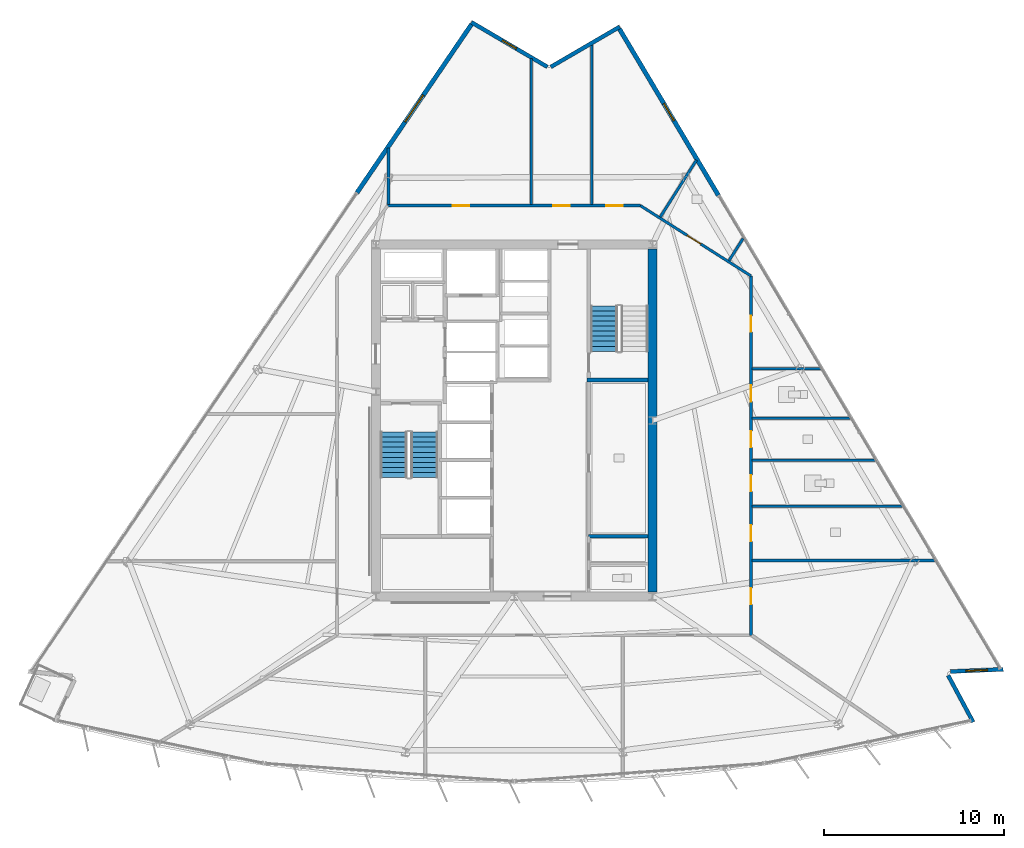
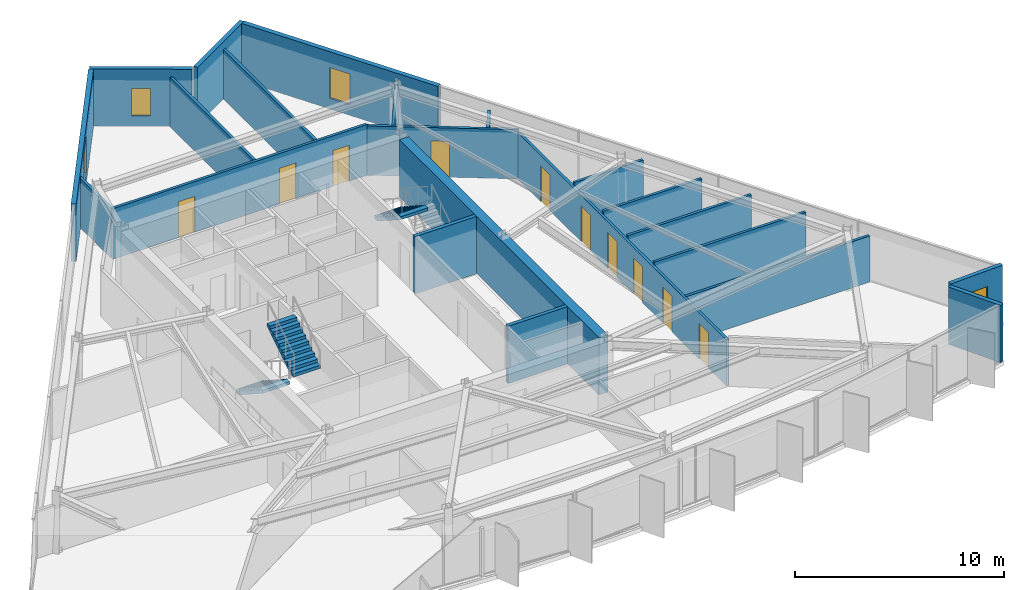
# One storey, part 9 of 15: 22 walls, 10 doors, 4 windows, 3 stair flights, 14 openings, 2 elements without a shape of their own.
"""IFC4 building model written with IfcOpenShell, lengths in metres."""

from ifc_helpers import new_model, si_unit, direction, frame, frame_2d, origin, place, context, subcontext, project, spatial, polyline, rectangle, outline, extrude, material, layer, layer_set, type_object, element, fill, aggregate, save


model = new_model("IFC4")

# Units and contexts
model_context = context("Model", 3, precision=1e-05, world=origin(), true_north=direction((0.0, 1.0)))
body_context = subcontext(model_context, "Body", "Model", "MODEL_VIEW")
ifc_project = project(units=[si_unit("LENGTHUNIT", "METRE"), si_unit("AREAUNIT", "SQUARE_METRE"), si_unit("VOLUMEUNIT", "CUBIC_METRE"), si_unit("PLANEANGLEUNIT", "RADIAN"), si_unit("MASSUNIT", "GRAM", prefix="KILO")], contexts=[model_context])

# Site, building, storey
site_placement = place(None, origin())
site = spatial("IfcSite", under=ifc_project, at=site_placement, CompositionType="ELEMENT")
building_placement = place(site_placement, origin())
building = spatial("IfcBuilding", under=site, at=building_placement, Name="Savorim Split Tower", CompositionType="ELEMENT")
storey_placement = place(building_placement, frame((0.0, 0.0, 142.199951171875)))
storey = spatial("IfcBuildingStorey", under=building, at=storey_placement, Name="L37", CompositionType="ELEMENT", Elevation=142.199951171875)

# Walls
ifc_material_1 = material(Name="Concrete C60/75", Category="concrete")
ifc_layer_1 = layer(ifc_material_1, 0.5)
ifc_layer_set_1 = layer_set([ifc_layer_1], Name="WAL-COR-SH500")
wall_type_1 = type_object("IfcWallType", Name="WAL-COR-SH500", PredefinedType="SHEAR", material=ifc_layer_set_1)
wall_1_placement = place(storey_placement, frame((7.699951171875, 9.949951171875, 0.0), z_axis=(0.0, 0.0, 1.0), x_axis=(0.0, -1.0, 0.0)))
element("IfcWall", 1, at=wall_1_placement, inside=storey, type_object=wall_type_1, Name="L37 Offset Core East Shear Wall", PredefinedType="SHEAR", context=body_context, shape_type="SweptSolid", body=[
    extrude(rectangle(XDim=19.099853515625, YDim=0.5, at=frame_2d((9.5498046875, 0.0))), origin(), (0.0, 0.0, 1.0), 3.35009765625),
])
ifc_material_2 = material(Name="Precast concrete C40/50", Category="concrete")
ifc_layer_2 = layer(ifc_material_2, 0.219970703125)
ifc_layer_set_2 = layer_set([ifc_layer_2], Name="WAL-EXT-CRN220")
wall_type_2 = type_object("IfcWallType", Name="WAL-EXT-CRN220", PredefinedType="SOLIDWALL", material=ifc_layer_set_2)
wall_2_placement = place(storey_placement, frame((24.15478515625, -13.789794921875, 0.0), z_axis=(0.0, 0.0, 1.0), x_axis=(0.472795751791, -0.881172047383, 0.0)))
element("IfcWall", 2, at=wall_2_placement, inside=storey, type_object=wall_type_2, Name="L37 Notched Corner Facade Wall SE1", PredefinedType="SOLIDWALL", context=body_context, shape_type="SweptSolid", body=[
    extrude(rectangle(XDim=2.948486328125, YDim=0.219970703125, at=frame_2d((1.47412109375, 0.0))), origin(), (0.0, 0.0, 1.0), 3.35009765625),
])

# Wall, opening, window
wall_3_placement = place(storey_placement, frame((27.219482421875, -13.450927734375, 0.0), z_axis=(0.0, 0.0, 1.0), x_axis=(-0.999095615947, -0.042519997593, 0.0)))
wall_3 = element("IfcWall", 3, at=wall_3_placement, inside=storey, type_object=wall_type_2, Name="L37 Notched Corner Facade Wall SE", PredefinedType="SOLIDWALL", context=body_context, shape_type="SweptSolid", body=[
    extrude(rectangle(XDim=2.945556640625, YDim=0.219970703125, at=frame_2d((1.47265625, 0.0))), origin(), (0.0, 0.0, 1.0), 3.35009765625),
])
opening_1_placement = place(wall_3_placement, frame((0.872802734375, 0.0, 0.6201171875)))
opening_1 = element("IfcOpeningElement", 4, at=opening_1_placement, cuts=wall_3, Name="Opening WN-08", PredefinedType="OPENING", context=body_context, shape_type="SweptSolid", body=[
    extrude(rectangle(XDim=1.199951171875, YDim=1.800048828125, at=frame_2d((0.60009765625, 0.89990234375))), frame((0.0, 0.119873046875, 0.0), z_axis=(0.0, -1.0, 0.0), x_axis=(1.0, 0.0, 0.0)), (0.0, 0.0, 1.0), 0.239990234375),
])
ifc_material_3 = material(Name="Low-E Operable Double Glazing", Category="glass")
window_type_1 = type_object("IfcWindowType", Name="WIN-TWR-1200x1800", PartitioningType="SINGLE_PANEL", PredefinedType="WINDOW", material=ifc_material_3)
window_1_placement = place(opening_1_placement, origin())
window_1 = element("IfcWindow", 5, at=window_1_placement, inside=storey, type_object=window_type_1, Name="L37 Operable Corner Window SE", OverallHeight=1.800048828125, OverallWidth=1.199951171875, PartitioningType="SINGLE_PANEL", PredefinedType="WINDOW", context=body_context, shape_type="SweptSolid", body=[
    extrude(rectangle(XDim=1.199951171875, YDim=1.800048828125, at=frame_2d((0.60009765625, 0.89990234375))), frame((0.0, 0.030029296875, 0.0), z_axis=(0.0, -1.0, 0.0), x_axis=(1.0, 0.0, 0.0)), (0.0, 0.0, 1.0), 0.06005859375),
])
fill(opening_1, window_1)

# Wall
wall_4_placement = place(storey_placement, frame((2.03857421875, 20.079345703125, 0.0), z_axis=(0.0, 0.0, 1.0), x_axis=(0.86398603623, 0.503515768571, 0.0)))
element("IfcWall", 6, at=wall_4_placement, inside=storey, type_object=wall_type_2, Name="L37 Notched Corner Facade Wall NE1", PredefinedType="SOLIDWALL", context=body_context, shape_type="SweptSolid", body=[
    extrude(rectangle(XDim=4.4443359375, YDim=0.219970703125, at=frame_2d((2.22216796875, 0.0))), origin(), (0.0, 0.0, 1.0), 3.35009765625),
])

# Wall, opening, window
wall_5_placement = place(storey_placement, frame((-2.384521484375, 22.5673828125, 0.0), z_axis=(0.0, 0.0, 1.0), x_axis=(0.8621258938, -0.506694131839, 0.0)))
wall_5 = element("IfcWall", 7, at=wall_5_placement, inside=storey, type_object=wall_type_2, Name="L37 Notched Corner Facade Wall N", PredefinedType="SOLIDWALL", context=body_context, shape_type="SweptSolid", body=[
    extrude(rectangle(XDim=4.909912109375, YDim=0.219970703125, at=frame_2d((2.455078125, 0.0))), origin(), (0.0, 0.0, 1.0), 3.35009765625),
])
opening_2_placement = place(wall_5_placement, frame((2.0048828125, 0.0, 0.6201171875)))
opening_2 = element("IfcOpeningElement", 8, at=opening_2_placement, cuts=wall_5, Name="Opening WN-10", PredefinedType="OPENING", context=body_context, shape_type="SweptSolid", body=[
    extrude(rectangle(XDim=0.89990234375, YDim=1.60009765625, at=frame_2d((0.449951171875, 0.800048828125))), frame((0.0, 0.119873046875, 0.0), z_axis=(0.0, -1.0, 0.0), x_axis=(1.0, 0.0, 0.0)), (0.0, 0.0, 1.0), 0.239990234375),
])
window_type_2 = type_object("IfcWindowType", Name="WIN-TWR-900x1600", PartitioningType="SINGLE_PANEL", PredefinedType="WINDOW", material=ifc_material_3)
window_2_placement = place(opening_2_placement, origin())
window_2 = element("IfcWindow", 9, at=window_2_placement, inside=storey, type_object=window_type_2, Name="L37 Operable Corner Window N", OverallHeight=1.60009765625, OverallWidth=0.89990234375, PartitioningType="SINGLE_PANEL", PredefinedType="WINDOW", context=body_context, shape_type="SweptSolid", body=[
    extrude(rectangle(XDim=0.89990234375, YDim=1.60009765625, at=frame_2d((0.449951171875, 0.800048828125))), frame((0.0, 0.030029296875, 0.0), z_axis=(0.0, -1.0, 0.0), x_axis=(1.0, 0.0, 0.0)), (0.0, 0.0, 1.0), 0.06005859375),
])
fill(opening_2, window_2)

ifc_layer_3 = layer(ifc_material_2, 0.25)
ifc_layer_set_3 = layer_set([ifc_layer_3], Name="WAL-EXT-SPN250")
wall_type_3 = type_object("IfcWallType", Name="WAL-EXT-SPN250", PredefinedType="SOLIDWALL", material=ifc_layer_set_3)
wall_6_placement = place(storey_placement, frame((5.86181640625, 22.1904296875, 0.0), z_axis=(0.0, 0.0, 1.0), x_axis=(0.511083986456, -0.859530778267, 0.0)))
wall_6 = element("IfcWall", 10, at=wall_6_placement, inside=storey, type_object=wall_type_3, Name="L37 East Operable Window Pier", PredefinedType="SOLIDWALL", context=body_context, shape_type="SweptSolid", body=[
    extrude(rectangle(XDim=10.778076171875, YDim=0.25, at=frame_2d((5.38916015625, 0.0))), origin(), (0.0, 0.0, 1.0), 3.35009765625),
])
opening_3_placement = place(wall_6_placement, frame((4.839111328125, 0.0, 0.6201171875)))
opening_3 = element("IfcOpeningElement", 11, at=opening_3_placement, cuts=wall_6, Name="Opening WN-09", PredefinedType="OPENING", context=body_context, shape_type="SweptSolid", body=[
    extrude(rectangle(XDim=1.10009765625, YDim=1.800048828125, at=frame_2d((0.550048828125, 0.89990234375))), frame((0.0, 0.135009765625, 0.0), z_axis=(0.0, -1.0, 0.0), x_axis=(1.0, 0.0, 0.0)), (0.0, 0.0, 1.0), 0.27001953125),
])
window_type_3 = type_object("IfcWindowType", Name="WIN-TWR-1100x1800", PartitioningType="SINGLE_PANEL", PredefinedType="WINDOW", material=ifc_material_3)
window_3_placement = place(opening_3_placement, origin())
window_3 = element("IfcWindow", 12, at=window_3_placement, inside=storey, type_object=window_type_3, Name="L37 East Operable Ventilation Window", OverallHeight=1.800048828125, OverallWidth=1.10009765625, PartitioningType="SINGLE_PANEL", PredefinedType="WINDOW", context=body_context, shape_type="SweptSolid", body=[
    extrude(rectangle(XDim=1.10009765625, YDim=1.800048828125, at=frame_2d((0.550048828125, 0.89990234375))), frame((0.0, 0.030029296875, 0.0), z_axis=(0.0, -1.0, 0.0), x_axis=(1.0, 0.0, 0.0)), (0.0, 0.0, 1.0), 0.06005859375),
])
fill(opening_3, window_3)

wall_7_placement = place(storey_placement, frame((-8.75048828125, 13.080810546875, 0.0), z_axis=(0.0, 0.0, 1.0), x_axis=(0.562463958751, 0.82682180372, 0.0)))
wall_7 = element("IfcWall", 13, at=wall_7_placement, inside=storey, type_object=wall_type_3, Name="L37 West Operable Window Pier", PredefinedType="SOLIDWALL", context=body_context, shape_type="SweptSolid", body=[
    extrude(rectangle(XDim=11.321533203125, YDim=0.25, at=frame_2d((5.66064453125, 0.0))), origin(), (0.0, 0.0, 1.0), 3.35009765625),
])
opening_4_placement = place(wall_7_placement, frame((4.7607421875, 0.0, 0.6201171875)))
opening_4 = element("IfcOpeningElement", 14, at=opening_4_placement, cuts=wall_7, Name="Opening WN-04", PredefinedType="OPENING", context=body_context, shape_type="SweptSolid", body=[
    extrude(rectangle(XDim=1.800048828125, YDim=2.10009765625, at=frame_2d((0.89990234375, 1.050048828125))), frame((0.0, 0.135009765625, 0.0), z_axis=(0.0, -1.0, 0.0), x_axis=(1.0, 0.0, 0.0)), (0.0, 0.0, 1.0), 0.27001953125),
])
window_type_4 = type_object("IfcWindowType", Name="WIN-TWR-1800x2100", PartitioningType="DOUBLE_PANEL_VERTICAL", PredefinedType="WINDOW", material=ifc_material_3)
window_4_placement = place(opening_4_placement, origin())
window_4 = element("IfcWindow", 15, at=window_4_placement, inside=storey, type_object=window_type_4, Name="L37 West Operable Ventilation Window", OverallHeight=2.10009765625, OverallWidth=1.800048828125, PartitioningType="SINGLE_PANEL", PredefinedType="WINDOW", context=body_context, shape_type="SweptSolid", body=[
    extrude(rectangle(XDim=1.800048828125, YDim=2.10009765625, at=frame_2d((0.89990234375, 1.050048828125))), frame((0.0, 0.030029296875, 0.0), z_axis=(0.0, -1.0, 0.0), x_axis=(1.0, 0.0, 0.0)), (0.0, 0.0, 1.0), 0.06005859375),
])
fill(opening_4, window_4)

# Walls
ifc_material_4 = material(Name="Concrete C50/60", Category="concrete")
ifc_layer_4 = layer(ifc_material_4, 0.199951171875)
ifc_layer_set_4 = layer_set([ifc_layer_4], Name="WAL-INT-RC200")
wall_type_4 = type_object("IfcWallType", Name="WAL-INT-RC200", PredefinedType="SOLIDWALL", material=ifc_layer_set_4)
wall_8_placement = place(storey_placement, frame((4.050048828125, 2.64990234375, 0.0), z_axis=(0.0, 0.0, 1.0), x_axis=(1.0, 0.0, 0.0)))
element("IfcWall", 16, at=wall_8_placement, inside=storey, type_object=wall_type_4, Name="L37 Structural Shaft Wall W-L37-CR08", PredefinedType="SOLIDWALL", context=body_context, shape_type="SweptSolid", body=[
    extrude(rectangle(XDim=3.39990234375, YDim=0.199951171875, at=frame_2d((1.699951171875, 0.0))), origin(), (0.0, 0.0, 1.0), 3.35009765625),
])
wall_9_placement = place(storey_placement, frame((4.14990234375, -6.050048828125, 0.0), z_axis=(0.0, 0.0, 1.0), x_axis=(1.0, 0.0, 0.0)))
element("IfcWall", 17, at=wall_9_placement, inside=storey, type_object=wall_type_4, Name="L37 Partition W-L37-KSEP-E", PredefinedType="SOLIDWALL", context=body_context, shape_type="SweptSolid", body=[
    extrude(rectangle(XDim=3.295166015625, YDim=0.199951171875, at=frame_2d((1.6474609375, 0.0))), origin(), (0.0, 0.0, 1.0), 3.35009765625),
])

# Wall, openings, doors
ifc_material_5 = material(Name="Acoustic Gypsum Partition Board")
ifc_layer_5 = layer(ifc_material_5, 0.14990234375)
ifc_layer_set_5 = layer_set([ifc_layer_5], Name="WAL-PAR-150")
wall_type_5 = type_object("IfcWallType", Name="WAL-PAR-150", PredefinedType="PARTITIONING", material=ifc_layer_set_5)
wall_10_placement = place(storey_placement, frame((-7.041015625, 12.360107421875, 0.0), z_axis=(0.0, 0.0, 1.0), x_axis=(1.0, 0.0, 0.0)))
wall_10 = element("IfcWall", 18, at=wall_10_placement, inside=storey, type_object=wall_type_5, Name="L37 Partition W-L37-COR-03", PredefinedType="PARTITIONING", context=body_context, shape_type="SweptSolid", body=[
    extrude(rectangle(XDim=14.064208984375, YDim=0.14990234375, at=frame_2d((7.0322265625, 0.0))), origin(), (0.0, 0.0, 1.0), 2.965087890625),
])
opening_5_placement = place(wall_10_placement, frame((12.17236328125, 0.0, 0.0)))
opening_5 = element("IfcOpeningElement", 19, at=opening_5_placement, cuts=wall_10, Name="Opening DI-06", PredefinedType="OPENING", context=body_context, shape_type="SweptSolid", body=[
    extrude(rectangle(XDim=0.89990234375, YDim=2.10009765625, at=frame_2d((0.449951171875, 1.050048828125))), frame((0.0, 0.0849609375, 0.0), z_axis=(0.0, -1.0, 0.0), x_axis=(1.0, 0.0, 0.0)), (0.0, 0.0, 1.0), 0.169921875),
])
opening_6_placement = place(wall_10_placement, frame((9.22412109375, 0.0, 0.0)))
opening_6 = element("IfcOpeningElement", 20, at=opening_6_placement, cuts=wall_10, Name="Opening DI-06", PredefinedType="OPENING", context=body_context, shape_type="SweptSolid", body=[
    extrude(rectangle(XDim=0.89990234375, YDim=2.10009765625, at=frame_2d((0.449951171875, 1.050048828125))), frame((0.0, 0.0849609375, 0.0), z_axis=(0.0, -1.0, 0.0), x_axis=(1.0, 0.0, 0.0)), (0.0, 0.0, 1.0), 0.169921875),
])
opening_7_placement = place(wall_10_placement, frame((3.6337890625, 0.0, 0.0)))
opening_7 = element("IfcOpeningElement", 21, at=opening_7_placement, cuts=wall_10, Name="Opening DI-06", PredefinedType="OPENING", context=body_context, shape_type="SweptSolid", body=[
    extrude(rectangle(XDim=0.89990234375, YDim=2.10009765625, at=frame_2d((0.449951171875, 1.050048828125))), frame((0.0, 0.0849609375, 0.0), z_axis=(0.0, -1.0, 0.0), x_axis=(1.0, 0.0, 0.0)), (0.0, 0.0, 1.0), 0.169921875),
])
ifc_material_6 = material(Name="Timber Fire Door Leaf", Category="wood")
door_type_1 = type_object("IfcDoorType", Name="DOR-FIR-900", OperationType="NOTDEFINED", PredefinedType="DOOR", material=ifc_material_6)
door_1_placement = place(opening_5_placement, origin())
door_1 = element("IfcDoor", 22, at=door_1_placement, inside=storey, type_object=door_type_1, Name="DR-L37-RM13 - L37 Quiet Study Room Entry Door", OperationType="SINGLE_SWING_RIGHT", OverallHeight=2.10009765625, OverallWidth=0.89990234375, PredefinedType="DOOR", context=body_context, shape_type="SweptSolid", body=[
    extrude(rectangle(XDim=0.89990234375, YDim=2.10009765625, at=frame_2d((0.449951171875, 1.050048828125))), frame((0.0, 0.02490234375, 0.0), z_axis=(0.0, -1.0, 0.0), x_axis=(1.0, 0.0, 0.0)), (0.0, 0.0, 1.0), 0.050048828125),
])
fill(opening_5, door_1)
door_2_placement = place(opening_6_placement, origin())
door_2 = element("IfcDoor", 23, at=door_2_placement, inside=storey, type_object=door_type_1, Name="DR-L37-RM14 - L37 Quiet Study Room Entry Door", OperationType="SINGLE_SWING_LEFT", OverallHeight=2.10009765625, OverallWidth=0.89990234375, PredefinedType="DOOR", context=body_context, shape_type="SweptSolid", body=[
    extrude(rectangle(XDim=0.89990234375, YDim=2.10009765625, at=frame_2d((0.449951171875, 1.050048828125))), frame((0.0, 0.02490234375, 0.0), z_axis=(0.0, -1.0, 0.0), x_axis=(1.0, 0.0, 0.0)), (0.0, 0.0, 1.0), 0.050048828125),
])
fill(opening_6, door_2)
door_3_placement = place(opening_7_placement, origin())
door_3 = element("IfcDoor", 24, at=door_3_placement, inside=storey, type_object=door_type_1, Name="DR-L37-RM15 - L37 Co-Working Commons Entry Door", OperationType="SINGLE_SWING_RIGHT", OverallHeight=2.10009765625, OverallWidth=0.89990234375, PredefinedType="DOOR", context=body_context, shape_type="SweptSolid", body=[
    extrude(rectangle(XDim=0.89990234375, YDim=2.10009765625, at=frame_2d((0.449951171875, 1.050048828125))), frame((0.0, 0.02490234375, 0.0), z_axis=(0.0, -1.0, 0.0), x_axis=(1.0, 0.0, 0.0)), (0.0, 0.0, 1.0), 0.050048828125),
])
fill(opening_7, door_3)

# Wall, opening, door
wall_11_placement = place(storey_placement, frame((7.023193359375, 12.360107421875, 0.0), z_axis=(0.0, 0.0, 1.0), x_axis=(0.84376480085, -0.536713108511, 0.0)))
wall_11 = element("IfcWall", 25, at=wall_11_placement, inside=storey, type_object=wall_type_5, Name="L37 Partition W-L37-COR-04", PredefinedType="PARTITIONING", context=body_context, shape_type="SweptSolid", body=[
    extrude(rectangle(XDim=7.296630859375, YDim=0.14990234375, at=frame_2d((3.6484375, 0.0))), origin(), (0.0, 0.0, 1.0), 2.885009765625),
])
opening_8_placement = place(wall_11_placement, frame((3.091064453125, 0.0, 0.0)))
opening_8 = element("IfcOpeningElement", 26, at=opening_8_placement, cuts=wall_11, Name="Opening DI-06", PredefinedType="OPENING", context=body_context, shape_type="SweptSolid", body=[
    extrude(rectangle(XDim=0.89990234375, YDim=2.10009765625, at=frame_2d((0.449951171875, 1.050048828125))), frame((0.0, 0.0849609375, 0.0), z_axis=(0.0, -1.0, 0.0), x_axis=(1.0, 0.0, 0.0)), (0.0, 0.0, 1.0), 0.169921875),
])
door_4_placement = place(opening_8_placement, origin())
door_4 = element("IfcDoor", 27, at=door_4_placement, inside=storey, type_object=door_type_1, Name="DR-L37-RM12 - L37 Shared Kitchen Entry Door", OperationType="SINGLE_SWING_LEFT", OverallHeight=2.10009765625, OverallWidth=0.89990234375, PredefinedType="DOOR", context=body_context, shape_type="SweptSolid", body=[
    extrude(rectangle(XDim=0.89990234375, YDim=2.10009765625, at=frame_2d((0.449951171875, 1.050048828125))), frame((0.0, 0.02490234375, 0.0), z_axis=(0.0, -1.0, 0.0), x_axis=(1.0, 0.0, 0.0)), (0.0, 0.0, 1.0), 0.050048828125),
])
fill(opening_8, door_4)

# Wall, openings, doors
wall_12_placement = place(storey_placement, frame((13.179931640625, 8.44384765625, 0.0), z_axis=(0.0, 0.0, 1.0), x_axis=(0.0, -1.0, 0.0)))
wall_12 = element("IfcWall", 28, at=wall_12_placement, inside=storey, type_object=wall_type_5, Name="L37 Partition W-L37-COR-05", PredefinedType="PARTITIONING", context=body_context, shape_type="SweptSolid", body=[
    extrude(rectangle(XDim=20.00390625, YDim=0.14990234375, at=frame_2d((10.001953125, 0.0))), origin(), (0.0, 0.0, 1.0), 2.705078125),
])
opening_9_placement = place(wall_12_placement, frame((17.38134765625, 0.0, 0.0)))
opening_9 = element("IfcOpeningElement", 29, at=opening_9_placement, cuts=wall_12, Name="Opening DI-06", PredefinedType="OPENING", context=body_context, shape_type="SweptSolid", body=[
    extrude(rectangle(XDim=0.89990234375, YDim=2.10009765625, at=frame_2d((0.449951171875, 1.050048828125))), frame((0.0, 0.0849609375, 0.0), z_axis=(0.0, -1.0, 0.0), x_axis=(1.0, 0.0, 0.0)), (0.0, 0.0, 1.0), 0.169921875),
])
opening_10_placement = place(wall_12_placement, frame((13.876708984375, 0.0, 0.0)))
opening_10 = element("IfcOpeningElement", 30, at=opening_10_placement, cuts=wall_12, Name="Opening DI-06", PredefinedType="OPENING", context=body_context, shape_type="SweptSolid", body=[
    extrude(rectangle(XDim=0.89990234375, YDim=2.10009765625, at=frame_2d((0.449951171875, 1.050048828125))), frame((0.0, 0.0849609375, 0.0), z_axis=(0.0, -1.0, 0.0), x_axis=(1.0, 0.0, 0.0)), (0.0, 0.0, 1.0), 0.169921875),
])
opening_11_placement = place(wall_12_placement, frame((11.09033203125, 0.0, 0.0)))
opening_11 = element("IfcOpeningElement", 31, at=opening_11_placement, cuts=wall_12, Name="Opening DI-11", PredefinedType="OPENING", context=body_context, shape_type="SweptSolid", body=[
    extrude(rectangle(XDim=0.89990234375, YDim=2.10009765625, at=frame_2d((0.449951171875, 1.050048828125))), frame((0.0, 0.0849609375, 0.0), z_axis=(0.0, -1.0, 0.0), x_axis=(1.0, 0.0, 0.0)), (0.0, 0.0, 1.0), 0.169921875),
])
opening_12_placement = place(wall_12_placement, frame((8.6416015625, 0.0, 0.0)))
opening_12 = element("IfcOpeningElement", 32, at=opening_12_placement, cuts=wall_12, Name="Opening DI-06", PredefinedType="OPENING", context=body_context, shape_type="SweptSolid", body=[
    extrude(rectangle(XDim=0.89990234375, YDim=2.10009765625, at=frame_2d((0.449951171875, 1.050048828125))), frame((0.0, 0.0849609375, 0.0), z_axis=(0.0, -1.0, 0.0), x_axis=(1.0, 0.0, 0.0)), (0.0, 0.0, 1.0), 0.169921875),
])
opening_13_placement = place(wall_12_placement, frame((6.089111328125, 0.0, 0.0)))
opening_13 = element("IfcOpeningElement", 33, at=opening_13_placement, cuts=wall_12, Name="Opening DI-11", PredefinedType="OPENING", context=body_context, shape_type="SweptSolid", body=[
    extrude(rectangle(XDim=0.89990234375, YDim=2.10009765625, at=frame_2d((0.449951171875, 1.050048828125))), frame((0.0, 0.0849609375, 0.0), z_axis=(0.0, -1.0, 0.0), x_axis=(1.0, 0.0, 0.0)), (0.0, 0.0, 1.0), 0.169921875),
])
opening_14_placement = place(wall_12_placement, frame((2.21875, 0.0, 0.0)))
opening_14 = element("IfcOpeningElement", 34, at=opening_14_placement, cuts=wall_12, Name="Opening DI-06", PredefinedType="OPENING", context=body_context, shape_type="SweptSolid", body=[
    extrude(rectangle(XDim=0.89990234375, YDim=2.10009765625, at=frame_2d((0.449951171875, 1.050048828125))), frame((0.0, 0.0849609375, 0.0), z_axis=(0.0, -1.0, 0.0), x_axis=(1.0, 0.0, 0.0)), (0.0, 0.0, 1.0), 0.169921875),
])
door_5_placement = place(opening_9_placement, origin())
door_5 = element("IfcDoor", 35, at=door_5_placement, inside=storey, type_object=door_type_1, Name="DR-L37-RM06 - L37 Maker Workshop Entry Door", OperationType="SINGLE_SWING_LEFT", OverallHeight=2.10009765625, OverallWidth=0.89990234375, PredefinedType="DOOR", context=body_context, shape_type="SweptSolid", body=[
    extrude(rectangle(XDim=0.89990234375, YDim=2.10009765625, at=frame_2d((0.449951171875, 1.050048828125))), frame((0.0, 0.02490234375, 0.0), z_axis=(0.0, -1.0, 0.0), x_axis=(1.0, 0.0, 0.0)), (0.0, 0.0, 1.0), 0.050048828125),
])
fill(opening_9, door_5)
door_6_placement = place(opening_10_placement, origin())
door_6 = element("IfcDoor", 36, at=door_6_placement, inside=storey, type_object=door_type_1, Name="DR-L37-RM07 - L37 Shared Kitchen Entry Door", OperationType="SINGLE_SWING_RIGHT", OverallHeight=2.10009765625, OverallWidth=0.89990234375, PredefinedType="DOOR", context=body_context, shape_type="SweptSolid", body=[
    extrude(rectangle(XDim=0.89990234375, YDim=2.10009765625, at=frame_2d((0.449951171875, 1.050048828125))), frame((0.0, 0.02490234375, 0.0), z_axis=(0.0, -1.0, 0.0), x_axis=(1.0, 0.0, 0.0)), (0.0, 0.0, 1.0), 0.050048828125),
])
fill(opening_10, door_6)
door_7_placement = place(opening_12_placement, origin())
door_7 = element("IfcDoor", 37, at=door_7_placement, inside=storey, type_object=door_type_1, Name="DR-L37-RM09 - L37 Shared Kitchen Entry Door", OperationType="SINGLE_SWING_RIGHT", OverallHeight=2.10009765625, OverallWidth=0.89990234375, PredefinedType="DOOR", context=body_context, shape_type="SweptSolid", body=[
    extrude(rectangle(XDim=0.89990234375, YDim=2.10009765625, at=frame_2d((0.449951171875, 1.050048828125))), frame((0.0, 0.02490234375, 0.0), z_axis=(0.0, -1.0, 0.0), x_axis=(1.0, 0.0, 0.0)), (0.0, 0.0, 1.0), 0.050048828125),
])
fill(opening_12, door_7)
door_8_placement = place(opening_14_placement, origin())
door_8 = element("IfcDoor", 38, at=door_8_placement, inside=storey, type_object=door_type_1, Name="DR-L37-RM11 - L37 Co-Living Bedroom Entry Door", OperationType="SINGLE_SWING_RIGHT", OverallHeight=2.10009765625, OverallWidth=0.89990234375, PredefinedType="DOOR", context=body_context, shape_type="SweptSolid", body=[
    extrude(rectangle(XDim=0.89990234375, YDim=2.10009765625, at=frame_2d((0.449951171875, 1.050048828125))), frame((0.0, 0.02490234375, 0.0), z_axis=(0.0, -1.0, 0.0), x_axis=(1.0, 0.0, 0.0)), (0.0, 0.0, 1.0), 0.050048828125),
])
fill(opening_14, door_8)
ifc_material_7 = material(Name="Oak Veneer Acoustic Door")
door_type_2 = type_object("IfcDoorType", Name="DOR-WC-900", OperationType="NOTDEFINED", PredefinedType="DOOR", material=ifc_material_7)
door_9_placement = place(opening_11_placement, origin())
door_9 = element("IfcDoor", 39, at=door_9_placement, inside=storey, type_object=door_type_2, Name="DR-L37-RM08 - L37 Shared Bathroom Entry Door", OperationType="SINGLE_SWING_LEFT", OverallHeight=2.10009765625, OverallWidth=0.89990234375, PredefinedType="DOOR", context=body_context, shape_type="SweptSolid", body=[
    extrude(rectangle(XDim=0.89990234375, YDim=2.10009765625, at=frame_2d((0.449951171875, 1.050048828125))), frame((0.0, 0.02490234375, 0.0), z_axis=(0.0, -1.0, 0.0), x_axis=(1.0, 0.0, 0.0)), (0.0, 0.0, 1.0), 0.050048828125),
])
fill(opening_11, door_9)
door_10_placement = place(opening_13_placement, origin())
door_10 = element("IfcDoor", 40, at=door_10_placement, inside=storey, type_object=door_type_2, Name="DR-L37-RM10 - L37 Shared Bathroom Entry Door", OperationType="SINGLE_SWING_LEFT", OverallHeight=2.10009765625, OverallWidth=0.89990234375, PredefinedType="DOOR", context=body_context, shape_type="SweptSolid", body=[
    extrude(rectangle(XDim=0.89990234375, YDim=2.10009765625, at=frame_2d((0.449951171875, 1.050048828125))), frame((0.0, 0.02490234375, 0.0), z_axis=(0.0, -1.0, 0.0), x_axis=(1.0, 0.0, 0.0)), (0.0, 0.0, 1.0), 0.050048828125),
])
fill(opening_13, door_10)

# Walls
wall_13_placement = place(storey_placement, frame((13.239990234375, -7.39306640625, 0.0), z_axis=(0.0, 0.0, 1.0), x_axis=(1.0, 0.0, 0.0)))
element("IfcWall", 41, at=wall_13_placement, inside=storey, type_object=wall_type_5, Name="L37 Partition W-L37-PRAD05", PredefinedType="PARTITIONING", context=body_context, shape_type="SweptSolid", body=[
    extrude(rectangle(XDim=10.154541015625, YDim=0.14990234375, at=frame_2d((5.0771484375, 0.0))), origin(), (0.0, 0.0, 1.0), 2.705078125),
])
wall_14_placement = place(storey_placement, frame((13.239990234375, 3.284423828125, 0.0), z_axis=(0.0, 0.0, 1.0), x_axis=(1.0, 0.0, 0.0)))
element("IfcWall", 42, at=wall_14_placement, inside=storey, type_object=wall_type_5, Name="L37 Partition W-L37-PRAD06", PredefinedType="PARTITIONING", context=body_context, shape_type="SweptSolid", body=[
    extrude(rectangle(XDim=3.805419921875, YDim=0.14990234375, at=frame_2d((1.90283203125, 0.0))), origin(), (0.0, 0.0, 1.0), 2.885009765625),
])
wall_15_placement = place(storey_placement, frame((8.132080078125, 11.725830078125, 0.0), z_axis=(0.0, 0.0, 1.0), x_axis=(0.536677475356, 0.843787465803, 0.0)))
element("IfcWall", 43, at=wall_15_placement, inside=storey, type_object=wall_type_5, Name="L37 Partition W-L37-PRAD07", PredefinedType="PARTITIONING", context=body_context, shape_type="SweptSolid", body=[
    extrude(rectangle(XDim=3.749755859375, YDim=0.14990234375, at=frame_2d((1.875, 0.0))), origin(), (0.0, 0.0, 1.0), 2.885009765625),
])
wall_16_placement = place(storey_placement, frame((-6.993896484375, 12.419921875, 0.0), z_axis=(0.0, 0.0, 1.0), x_axis=(0.0, 1.0, 0.0)))
element("IfcWall", 44, at=wall_16_placement, inside=storey, type_object=wall_type_5, Name="L37 Partition W-L37-PRAD08", PredefinedType="PARTITIONING", context=body_context, shape_type="SweptSolid", body=[
    extrude(rectangle(XDim=3.154052734375, YDim=0.14990234375, at=frame_2d((1.5771484375, 0.0))), origin(), (0.0, 0.0, 1.0), 2.885009765625),
])
wall_17_placement = place(storey_placement, frame((13.239990234375, -1.8203125, 0.0), z_axis=(0.0, 0.0, 1.0), x_axis=(1.0, 0.0, 0.0)))
element("IfcWall", 45, at=wall_17_placement, inside=storey, type_object=wall_type_5, Name="L37 Partition W-L37-SUB01", PredefinedType="PARTITIONING", context=body_context, shape_type="SweptSolid", body=[
    extrude(rectangle(XDim=6.8408203125, YDim=0.14990234375, at=frame_2d((3.42041015625, 0.0))), origin(), (0.0, 0.0, 1.0), 2.885009765625),
])
wall_18_placement = place(storey_placement, frame((11.954833984375, 9.29443359375, 0.0), z_axis=(0.0, 0.0, 1.0), x_axis=(0.536637563854, 0.843812849547, 0.0)))
element("IfcWall", 46, at=wall_18_placement, inside=storey, type_object=wall_type_5, Name="L37 Partition W-L37-SUB02", PredefinedType="PARTITIONING", context=body_context, shape_type="SweptSolid", body=[
    extrude(rectangle(XDim=1.4609375, YDim=0.14990234375, at=frame_2d((0.73046875, 0.0))), origin(), (0.0, 0.0, 1.0), 2.885009765625),
])
wall_19_placement = place(storey_placement, frame((0.948486328125, 12.419921875, 0.0), z_axis=(0.0, 0.0, 1.0), x_axis=(0.0, 1.0, 0.0)))
element("IfcWall", 47, at=wall_19_placement, inside=storey, type_object=wall_type_5, Name="L37 Partition W-L37-SUB03", PredefinedType="PARTITIONING", context=body_context, shape_type="SweptSolid", body=[
    extrude(rectangle(XDim=8.130615234375, YDim=0.14990234375, at=frame_2d((4.0654296875, 0.0))), origin(), (0.0, 0.0, 1.0), 2.885009765625),
])
wall_20_placement = place(storey_placement, frame((13.239990234375, -4.372802734375, 0.0), z_axis=(0.0, 0.0, 1.0), x_axis=(1.0, 0.0, 0.0)))
element("IfcWall", 48, at=wall_20_placement, inside=storey, type_object=wall_type_5, Name="L37 Partition W-L37-SUB07", PredefinedType="PARTITIONING", context=body_context, shape_type="SweptSolid", body=[
    extrude(rectangle(XDim=8.3583984375, YDim=0.14990234375, at=frame_2d((4.17919921875, 0.0))), origin(), (0.0, 0.0, 1.0), 2.885009765625),
])
wall_21_placement = place(storey_placement, frame((13.239990234375, 0.525146484375, 0.0), z_axis=(0.0, 0.0, 1.0), x_axis=(1.0, 0.0, 0.0)))
element("IfcWall", 49, at=wall_21_placement, inside=storey, type_object=wall_type_5, Name="L37 Partition W-L37-SUB08", PredefinedType="PARTITIONING", context=body_context, shape_type="SweptSolid", body=[
    extrude(rectangle(XDim=5.4462890625, YDim=0.14990234375, at=frame_2d((2.72314453125, 0.0))), origin(), (0.0, 0.0, 1.0), 2.885009765625),
])
wall_22_placement = place(storey_placement, frame((4.317626953125, 12.419921875, 0.0), z_axis=(0.0, 0.0, 1.0), x_axis=(0.0, 1.0, 0.0)))
element("IfcWall", 50, at=wall_22_placement, inside=storey, type_object=wall_type_5, Name="L37 Partition W-L37-SUB09", PredefinedType="PARTITIONING", context=body_context, shape_type="SweptSolid", body=[
    extrude(rectangle(XDim=8.9296875, YDim=0.14990234375, at=frame_2d((4.46484375, 0.0))), origin(), (0.0, 0.0, 1.0), 2.885009765625),
])

# Stair, stair flights
stair_type = type_object("IfcStairType", Name="STR-DOG-3600", PredefinedType="HALF_TURN_STAIR", material=ifc_material_4)
stair_1_placement = place(storey_placement, origin())
stair_1 = element("IfcStair", 51, at=stair_1_placement, inside=storey, type_object=stair_type, Name="L37 Core Protected Exit Stair ST-1", PredefinedType="HALF_TURN_STAIR")
stair_flight_type = type_object("IfcStairFlightType", Name="SFL-DOG-3600", PredefinedType="STRAIGHT", material=ifc_material_4)
stair_flight_1_placement = place(storey_placement, frame((-6.699951171875, -0.25, 0.0), z_axis=(0.0, 0.0, 1.0), x_axis=(0.0, -1.0, 0.0)))
stair_flight_1 = element("IfcStairFlight", 52, at=stair_flight_1_placement, type_object=stair_flight_type, Name="ST-1 flight 1", NumberOfRisers=10, NumberOfTreads=9, PredefinedType="STRAIGHT", RiserHeight=0.18, TreadLength=0.28, context=body_context, shape_type="SweptSolid", body=[
    extrude(outline(polyline([(0.0, 0.0), (0.0, 0.179931640625), (0.280029296875, 0.179931640625), (0.280029296875, 0.360107421875), (0.56005859375, 0.360107421875), (0.56005859375, 0.5400390625), (0.840087890625, 0.5400390625), (0.840087890625, 0.719970703125), (1.1201171875, 0.719970703125), (1.1201171875, 0.89990234375), (1.39990234375, 0.89990234375), (1.39990234375, 1.080078125), (1.679931640625, 1.080078125), (1.679931640625, 1.260009765625), (1.9599609375, 1.260009765625), (1.9599609375, 1.43994140625), (2.239990234375, 1.43994140625), (2.239990234375, 1.6201171875), (2.52001953125, 1.6201171875), (2.52001953125, 1.800048828125), (2.52001953125, 1.44189453125), (0.277099609375, 0.0), (0.0, 0.0)])), frame((0.0, 0.75, 0.0), z_axis=(0.0, -1.0, 0.0), x_axis=(1.0, 0.0, 0.0)), (0.0, 0.0, 1.0), 1.5),
])
stair_flight_2_placement = place(storey_placement, frame((-5.0, -2.77001953125, 1.800048828125), z_axis=(0.0, 0.0, 1.0), x_axis=(0.0, 1.0, 0.0)))
stair_flight_2 = element("IfcStairFlight", 53, at=stair_flight_2_placement, type_object=stair_flight_type, Name="ST-1 flight 2", NumberOfRisers=10, NumberOfTreads=9, PredefinedType="STRAIGHT", RiserHeight=0.18, TreadLength=0.28, context=body_context, shape_type="SweptSolid", body=[
    extrude(outline(polyline([(0.0, 0.0), (0.0, 0.179931640625), (0.280029296875, 0.179931640625), (0.280029296875, 0.360107421875), (0.56005859375, 0.360107421875), (0.56005859375, 0.5400390625), (0.840087890625, 0.5400390625), (0.840087890625, 0.719970703125), (1.1201171875, 0.719970703125), (1.1201171875, 0.89990234375), (1.39990234375, 0.89990234375), (1.39990234375, 1.080078125), (1.679931640625, 1.080078125), (1.679931640625, 1.260009765625), (1.9599609375, 1.260009765625), (1.9599609375, 1.43994140625), (2.239990234375, 1.43994140625), (2.239990234375, 1.6201171875), (2.52001953125, 1.6201171875), (2.52001953125, 1.800048828125), (2.52001953125, 1.44189453125), (0.277099609375, 0.0), (0.0, 0.0)])), frame((0.0, 0.75, 0.0), z_axis=(0.0, -1.0, 0.0), x_axis=(1.0, 0.0, 0.0)), (0.0, 0.0, 1.0), 1.5),
])
aggregate(stair_1, [stair_flight_1, stair_flight_2])

# Stair, stair flight
stair_2_placement = place(storey_placement, origin())
stair_2 = element("IfcStair", 54, at=stair_2_placement, inside=storey, type_object=stair_type, Name="L37 Core Protected Exit Stair ST-2", PredefinedType="HALF_TURN_STAIR")
stair_flight_3_placement = place(storey_placement, frame((5.0, 6.77001953125, 1.800048828125), z_axis=(0.0, 0.0, 1.0), x_axis=(0.0, -1.0, 0.0)))
stair_flight_3 = element("IfcStairFlight", 55, at=stair_flight_3_placement, type_object=stair_flight_type, Name="ST-2 flight 2", NumberOfRisers=10, NumberOfTreads=9, PredefinedType="STRAIGHT", RiserHeight=0.18, TreadLength=0.28, context=body_context, shape_type="SweptSolid", body=[
    extrude(outline(polyline([(0.0, 0.0), (0.0, 0.179931640625), (0.280029296875, 0.179931640625), (0.280029296875, 0.360107421875), (0.56005859375, 0.360107421875), (0.56005859375, 0.5400390625), (0.840087890625, 0.5400390625), (0.840087890625, 0.719970703125), (1.1201171875, 0.719970703125), (1.1201171875, 0.89990234375), (1.39990234375, 0.89990234375), (1.39990234375, 1.080078125), (1.679931640625, 1.080078125), (1.679931640625, 1.260009765625), (1.9599609375, 1.260009765625), (1.9599609375, 1.43994140625), (2.239990234375, 1.43994140625), (2.239990234375, 1.6201171875), (2.52001953125, 1.6201171875), (2.52001953125, 1.800048828125), (2.52001953125, 1.44189453125), (0.277099609375, 0.0), (0.0, 0.0)])), frame((0.0, 0.75, 0.0), z_axis=(0.0, -1.0, 0.0), x_axis=(1.0, 0.0, 0.0)), (0.0, 0.0, 1.0), 1.5),
])
aggregate(stair_2, [stair_flight_3])

save(model, "model.ifc")
